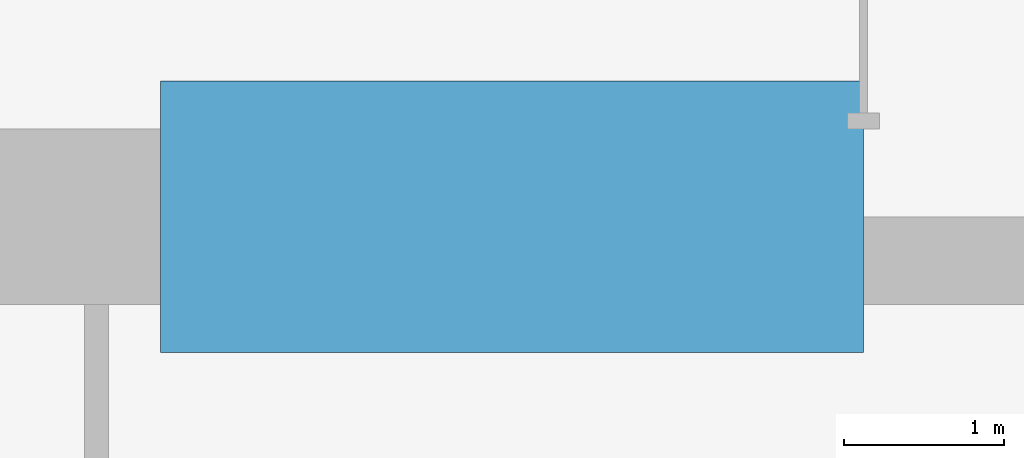
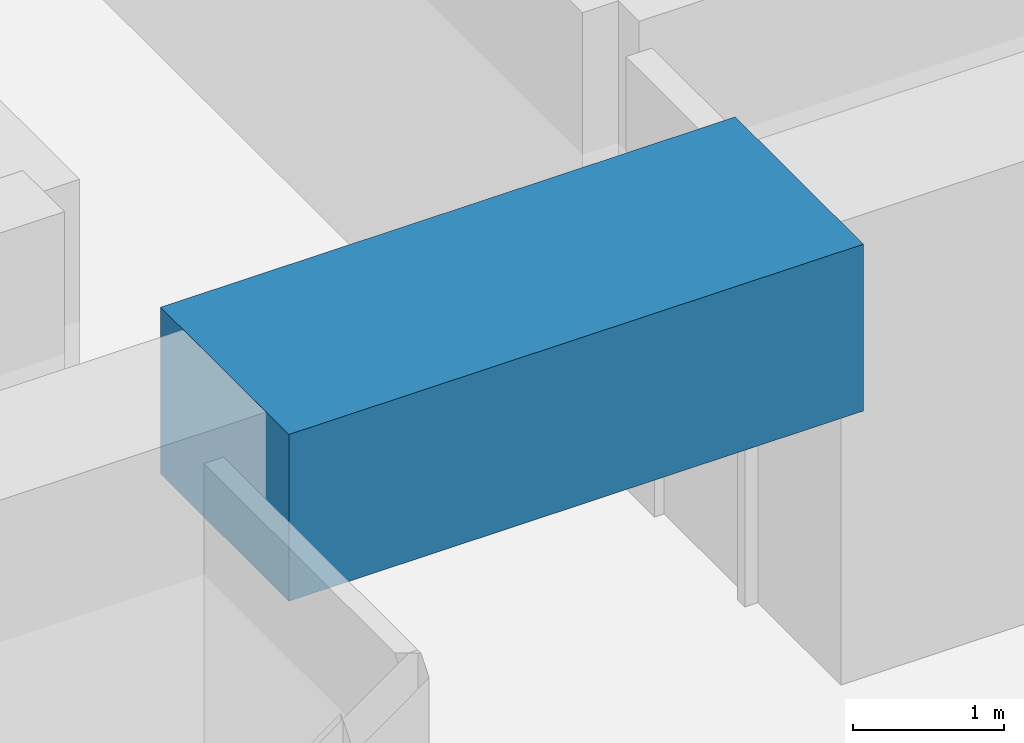
# One storey, part 11 of 42: 1 beam.
"""IFC4 building model written with IfcOpenShell, lengths in metres."""

from ifc_helpers import new_model, si_unit, direction, frame, origin, origin_2d, place, context, subcontext, project, spatial, rectangle, extrude, material, material_profile, profile_set, type_object, element, save


model = new_model("IFC4")

# Units and contexts
model_context = context("Model", 3, precision=1e-05, world=origin(), true_north=direction((0.0, 1.0)))
body_context = subcontext(model_context, "Body", "Model", "MODEL_VIEW")
ifc_project = project(units=[si_unit("LENGTHUNIT", "METRE"), si_unit("AREAUNIT", "SQUARE_METRE"), si_unit("VOLUMEUNIT", "CUBIC_METRE"), si_unit("PLANEANGLEUNIT", "RADIAN"), si_unit("MASSUNIT", "GRAM", prefix="KILO")], contexts=[model_context])

# Site, building, storey
site_placement = place(None, origin())
site = spatial("IfcSite", under=ifc_project, at=site_placement, CompositionType="ELEMENT")
building_placement = place(site_placement, origin())
building = spatial("IfcBuilding", under=site, at=building_placement, Name="Rekha Terrace Tower", CompositionType="ELEMENT")
storey_placement = place(building_placement, frame((0.0, 0.0, 55.39990234375)))
storey = spatial("IfcBuildingStorey", under=building, at=storey_placement, Name="L13", CompositionType="ELEMENT", Elevation=55.39990234375)

# Beam
ifc_material = material(Name="Concrete M70", Category="concrete")
ifc_material_profile = material_profile(ifc_material, rectangle(XDim=1.699951171875, YDim=1.35009765625, at=origin_2d()), Name="RC 1700x1350")
ifc_profile_set = profile_set([ifc_material_profile], Name="Concrete M70")
beam_type = type_object("IfcBeamType", Name="LB1A 1700x1350 diagonally reinforced coupling beam", PredefinedType="LINTEL", material=ifc_profile_set)
beam_placement = place(storey_placement, frame((35.60009765625, 21.0, 3.0751953125), z_axis=(1.0, 0.0, 0.0), x_axis=(0.0, 1.0, 0.0)))
element("IfcBeam", 1, at=beam_placement, inside=storey, type_object=beam_type, Name="Coupling beam LB1A S L13", PredefinedType="LINTEL", context=body_context, shape_type="SweptSolid", body=[
    extrude(rectangle(XDim=1.699951171875, YDim=1.35009765625, at=origin_2d()), origin(), (0.0, 0.0, 1.0), 4.39990234375),
])

save(model, "model.ifc")
